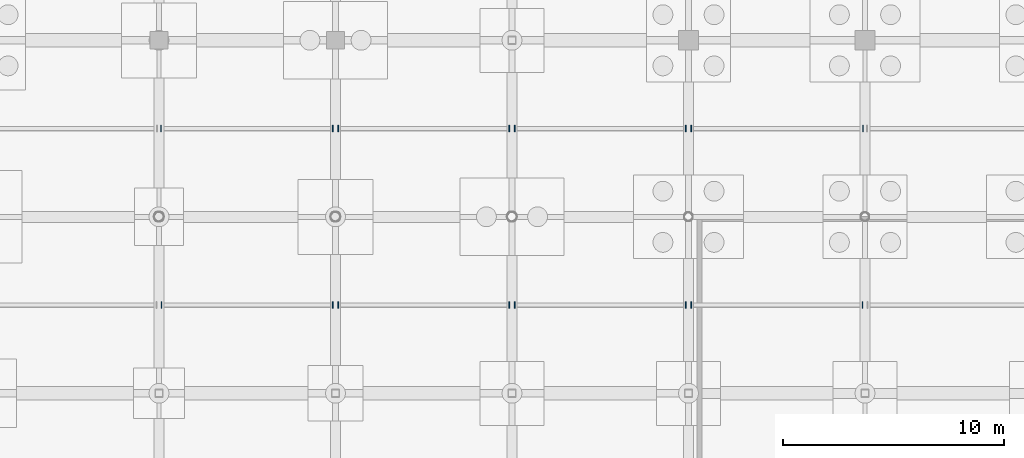
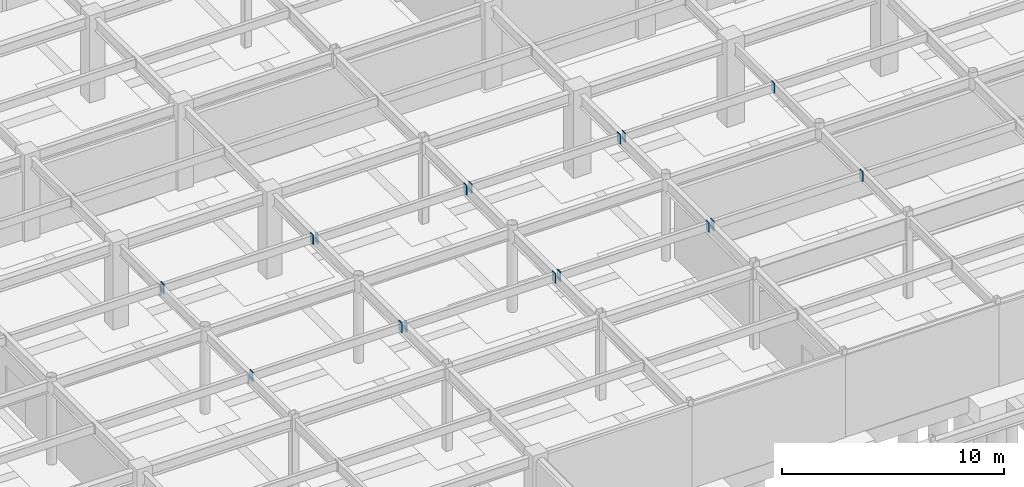
# One storey, part 83 of 105: 16 discrete accessories.
"""IFC4 building model written with IfcOpenShell, lengths in metres."""

from ifc_helpers import new_model, si_unit, direction, frame, origin, origin_2d, place, context, subcontext, project, spatial, rectangle, extrude, material, layer, layer_set, type_object, element, save


model = new_model("IFC4")

# Units and contexts
model_context = context("Model", 3, precision=1e-05, world=origin(), true_north=direction((0.0, 1.0)))
body_context = subcontext(model_context, "Body", "Model", "MODEL_VIEW")
ifc_project = project(units=[si_unit("LENGTHUNIT", "METRE"), si_unit("AREAUNIT", "SQUARE_METRE"), si_unit("VOLUMEUNIT", "CUBIC_METRE"), si_unit("PLANEANGLEUNIT", "RADIAN"), si_unit("MASSUNIT", "GRAM", prefix="KILO")], contexts=[model_context])

# Site, building, storey
site_placement = place(None, origin())
site = spatial("IfcSite", under=ifc_project, at=site_placement, CompositionType="ELEMENT")
building_placement = place(site_placement, origin())
building = spatial("IfcBuilding", under=site, at=building_placement, Name="Solmirada Galleria", CompositionType="ELEMENT")
storey_placement = place(building_placement, frame((0.0, 0.0, -4.800048828125)))
storey = spatial("IfcBuildingStorey", under=building, at=storey_placement, Name="B1", CompositionType="ELEMENT", Elevation=-4.800048828125)

# Discrete accessories
ifc_material = material(Name="Steel S355 / ASTM A572 Grade 50", Category="steel")
ifc_layer = layer(ifc_material, 0.031982421875)
ifc_layer_set = layer_set([ifc_layer], Name="Steel S355 / ASTM A572 Grade 50")
discrete_accessory_type = type_object("IfcDiscreteAccessoryType", Name="ACC-COL-CAP", PredefinedType="BRACKET", material=ifc_layer_set)
for number, where, z_axis, x_axis, name in (
    (1, (104.114013671875, 84.0, 4.08154296875), (0.0, 0.0, 1.0), (1.0, 0.0, 0.0), "Hollow joist end plate L00-14-11-L"),
    (2, (111.873046875, 84.0, 4.08154296875), (0.0, 0.0, 1.0), (1.0, 0.0, 0.0), "Hollow joist end plate L00-14-11-R"),
    (3, (104.089111328125, 92.0, 4.08154296875), (0.0, 0.0, 1.0), (1.0, 0.0, 0.0), "Hollow joist end plate L00-14-12-L"),
    (4, (111.873046875, 92.0, 4.08154296875), (0.0, 0.0, 1.0), (1.0, 0.0, 0.0), "Hollow joist end plate L00-14-12-R"),
    (5, (112.126953125, 84.0, 4.00146484375), (0.0, 0.0, 1.0), (1.0, 0.0, 0.0), "Hollow joist end plate L00-15-11-L"),
    (6, (119.8720703125, 84.0, 4.00146484375), (0.0, 0.0, 1.0), (1.0, 0.0, 0.0), "Hollow joist end plate L00-15-11-R"),
    (7, (112.126953125, 92.0, 4.00146484375), (0.0, 0.0, 1.0), (1.0, 0.0, 0.0), "Hollow joist end plate L00-15-12-L"),
    (8, (119.8720703125, 92.0, 4.00146484375), (0.0, 0.0, 1.0), (1.0, 0.0, 0.0), "Hollow joist end plate L00-15-12-R"),
    (9, (120.1279296875, 84.0, 4.00146484375), (0.0, 0.0, 1.0), (1.0, 0.0, 0.0), "Hollow joist end plate L00-16-11-L"),
    (10, (127.873046875, 84.0, 4.00146484375), (0.0, 0.0, 1.0), (1.0, 0.0, 0.0), "Hollow joist end plate L00-16-11-R"),
    (11, (120.1279296875, 92.0, 4.00146484375), (0.0, 0.0, 1.0), (1.0, 0.0, 0.0), "Hollow joist end plate L00-16-12-L"),
    (12, (127.873046875, 92.0, 4.00146484375), (0.0, 0.0, 1.0), (1.0, 0.0, 0.0), "Hollow joist end plate L00-16-12-R"),
    (13, (128.126953125, 84.0, 4.00146484375), (0.0, 0.0, 1.0), (1.0, 0.0, 0.0), "Hollow joist end plate L00-17-11-L"),
    (14, (135.885986328125, 84.0, 4.00146484375), (0.0, 0.0, 1.0), (1.0, 0.0, 0.0), "Hollow joist end plate L00-17-11-R"),
    (15, (128.126953125, 92.0, 4.00146484375), (0.0, 0.0, 1.0), (1.0, 0.0, 0.0), "Hollow joist end plate L00-17-12-L"),
    (16, (135.910888671875, 92.0, 4.00146484375), (0.0, 0.0, 1.0), (1.0, 0.0, 0.0), "Hollow joist end plate L00-17-12-R"),
):
    element("IfcDiscreteAccessory", number, at=place(storey_placement, frame(where, z_axis=z_axis, x_axis=x_axis)), inside=storey, type_object=discrete_accessory_type, Name=name, PredefinedType="BRACKET", context=body_context, shape_type="SweptSolid", body=[
        extrude(rectangle(XDim=0.035888671875, YDim=0.280029296875, at=origin_2d()), origin(), (0.0, 0.0, 1.0), 0.5400390625),
    ])

save(model, "model.ifc")
